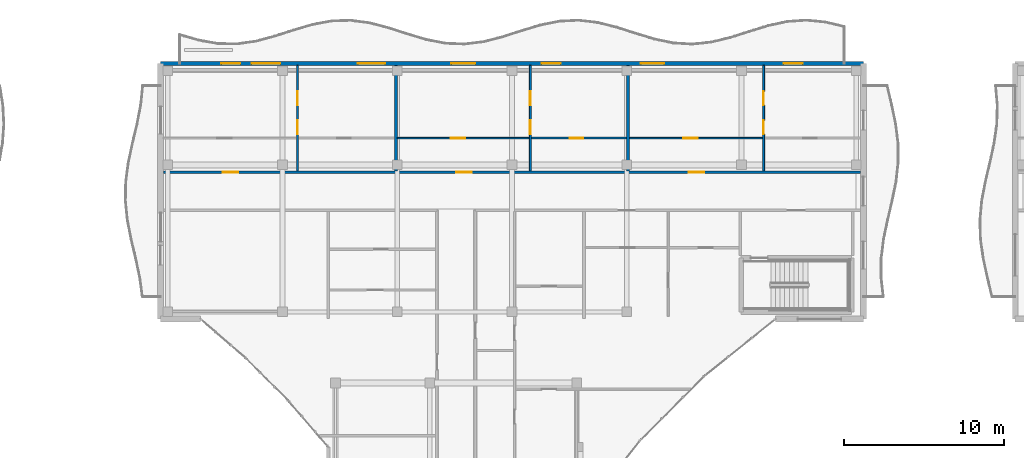
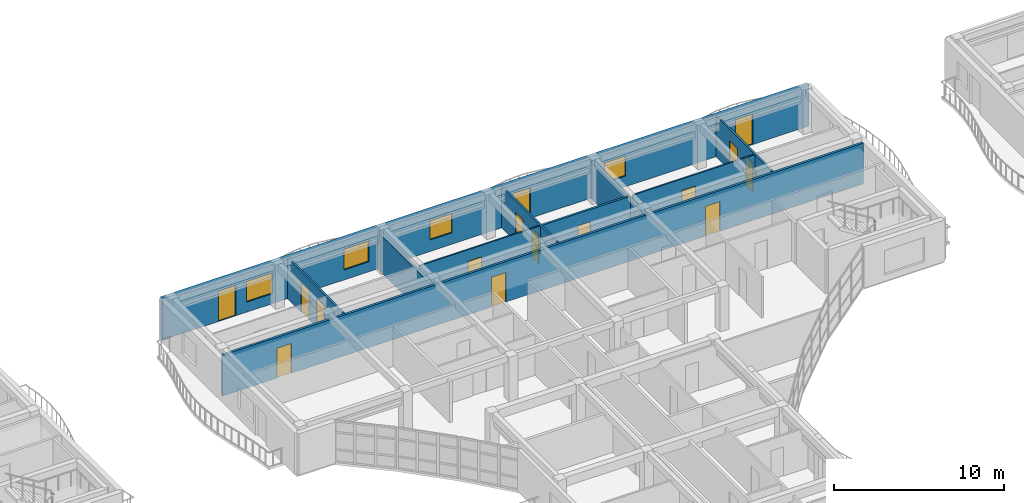
# One storey, part 48 of 79: 15 doors, 10 walls, 4 windows, 19 openings.
"""IFC4 building model written with IfcOpenShell, lengths in metres."""

from ifc_helpers import new_model, si_unit, direction, frame, frame_2d, origin, place, context, subcontext, project, spatial, rectangle, extrude, material, layer, layer_set, type_object, element, fill, save


model = new_model("IFC4")

# Units and contexts
model_context = context("Model", 3, precision=1e-05, world=origin(), true_north=direction((0.0, 1.0)))
body_context = subcontext(model_context, "Body", "Model", "MODEL_VIEW")
ifc_project = project(units=[si_unit("LENGTHUNIT", "METRE"), si_unit("AREAUNIT", "SQUARE_METRE"), si_unit("VOLUMEUNIT", "CUBIC_METRE"), si_unit("PLANEANGLEUNIT", "RADIAN"), si_unit("MASSUNIT", "GRAM", prefix="KILO")], contexts=[model_context])

# Site, building, storey
site_placement = place(None, origin())
site = spatial("IfcSite", under=ifc_project, at=site_placement, CompositionType="ELEMENT")
building_placement = place(site_placement, origin())
building = spatial("IfcBuilding", under=site, at=building_placement, Name="Keldmere Railside Commons", CompositionType="ELEMENT")
storey_placement = place(building_placement, frame((0.0, 0.0, 10.56005859375)))
storey = spatial("IfcBuildingStorey", under=building, at=storey_placement, Name="L03", CompositionType="ELEMENT", Elevation=10.56005859375)

# Walls
ifc_material_1 = material(Name="Acoustic Gypsum Board Partition", Category="gypsum")
ifc_layer_1 = layer(ifc_material_1, 0.179931640625, Name="Acoustic Demising Partition 180")
ifc_layer_set_1 = layer_set([ifc_layer_1], Name="Acoustic Gypsum Board Partition")
wall_type_1 = type_object("IfcWallType", Name="Acoustic Demising Partition 180", PredefinedType="PARTITIONING", material=ifc_layer_set_1)
for number, where, z_axis, x_axis, name in (
    (1, (108.22998046875, 109.280029296875, 0.0), (0.0, 0.0, 1.0), (0.0, 1.0, 0.0), "IW-1 IW-L03-1032"),
    (2, (122.77001953125, 109.280029296875, 0.0), (0.0, 0.0, 1.0), (0.0, 1.0, 0.0), "IW-1 IW-L03-1033"),
):
    element("IfcWall", number, at=place(storey_placement, frame(where, z_axis=z_axis, x_axis=x_axis)), inside=storey, type_object=wall_type_1, Name=name, PredefinedType="PARTITIONING", context=body_context, shape_type="SweptSolid", body=[
        extrude(rectangle(XDim=6.599853515625, YDim=0.179931640625, at=frame_2d((3.2998046875, 0.0))), origin(), (0.0, 0.0, 1.0), 2.679931640625),
    ])

# Wall, openings, doors
ifc_layer_2 = layer(ifc_material_1, 0.1201171875, Name="Apartment Interior Partition 120")
ifc_layer_set_2 = layer_set([ifc_layer_2], Name="Acoustic Gypsum Board Partition")
wall_type_2 = type_object("IfcWallType", Name="Apartment Interior Partition 120", PredefinedType="PARTITIONING", material=ifc_layer_set_2)
wall_1_placement = place(storey_placement, frame((102.070068359375, 109.280029296875, 0.0), z_axis=(0.0, 0.0, 1.0), x_axis=(0.0, 1.0, 0.0)))
wall_1 = element("IfcWall", 3, at=wall_1_placement, inside=storey, type_object=wall_type_2, Name="IW-4 IW-L03-1034", PredefinedType="PARTITIONING", context=body_context, shape_type="SweptSolid", body=[
    extrude(rectangle(XDim=6.599853515625, YDim=0.1201171875, at=frame_2d((3.2998046875, 0.0))), origin(), (0.0, 0.0, 1.0), 2.93505859375),
])
opening_1_placement = place(wall_1_placement, frame((2.305908203125, 0.0, 0.0)))
opening_1 = element("IfcOpeningElement", 4, at=opening_1_placement, cuts=wall_1, Name="Opening ID-04", PredefinedType="OPENING", context=body_context, shape_type="SweptSolid", body=[
    extrude(rectangle(XDim=0.860107421875, YDim=2.10009765625, at=frame_2d((0.43017578125, 1.050048828125))), frame((0.0, 0.070068359375, 0.0), z_axis=(0.0, -1.0, 0.0), x_axis=(1.0, 0.0, 0.0)), (0.0, 0.0, 1.0), 0.14013671875),
])
opening_2_placement = place(wall_1_placement, frame((4.097412109375, 0.0, 0.0)))
opening_2 = element("IfcOpeningElement", 5, at=opening_2_placement, cuts=wall_1, Name="Opening ID-01", PredefinedType="OPENING", context=body_context, shape_type="SweptSolid", body=[
    extrude(rectangle(XDim=0.89990234375, YDim=2.10009765625, at=frame_2d((0.449951171875, 1.050048828125))), frame((0.0, 0.070068359375, 0.0), z_axis=(0.0, -1.0, 0.0), x_axis=(1.0, 0.0, 0.0)), (0.0, 0.0, 1.0), 0.14013671875),
])
ifc_material_2 = material(Name="Engineered Oak Timber", Category="wood")
door_type_1 = type_object("IfcDoorType", Name="Apartment Bathroom Door 860x2100", OperationType="NOTDEFINED", PredefinedType="DOOR", material=ifc_material_2)
door_1_placement = place(opening_1_placement, origin())
door_1 = element("IfcDoor", 6, at=door_1_placement, inside=storey, type_object=door_type_1, Name="ID-04 IDR-L03-0902", OperationType="SINGLE_SWING_RIGHT", OverallHeight=2.10009765625, OverallWidth=0.860107421875, PredefinedType="DOOR", context=body_context, shape_type="SweptSolid", body=[
    extrude(rectangle(XDim=0.860107421875, YDim=2.10009765625, at=frame_2d((0.43017578125, 1.050048828125))), frame((0.0, 0.02490234375, 0.0), z_axis=(0.0, -1.0, 0.0), x_axis=(1.0, 0.0, 0.0)), (0.0, 0.0, 1.0), 0.050048828125),
])
fill(opening_1, door_1)
door_type_2 = type_object("IfcDoorType", Name="Primary Bedroom Door 900x2100", OperationType="NOTDEFINED", PredefinedType="DOOR", material=ifc_material_2)
door_2_placement = place(opening_2_placement, origin())
door_2 = element("IfcDoor", 7, at=door_2_placement, inside=storey, type_object=door_type_2, Name="ID-01 IDR-L03-0903", OperationType="SINGLE_SWING_LEFT", OverallHeight=2.10009765625, OverallWidth=0.89990234375, PredefinedType="DOOR", context=body_context, shape_type="SweptSolid", body=[
    extrude(rectangle(XDim=0.89990234375, YDim=2.10009765625, at=frame_2d((0.449951171875, 1.050048828125))), frame((0.0, 0.02490234375, 0.0), z_axis=(0.0, -1.0, 0.0), x_axis=(1.0, 0.0, 0.0)), (0.0, 0.0, 1.0), 0.050048828125),
])
fill(opening_2, door_2)

wall_2_placement = place(storey_placement, frame((116.64990234375, 109.280029296875, 0.0), z_axis=(0.0, 0.0, 1.0), x_axis=(0.0, 1.0, 0.0)))
wall_2 = element("IfcWall", 8, at=wall_2_placement, inside=storey, type_object=wall_type_2, Name="IW-4 IW-L03-1037", PredefinedType="PARTITIONING", context=body_context, shape_type="SweptSolid", body=[
    extrude(rectangle(XDim=6.599853515625, YDim=0.1201171875, at=frame_2d((3.2998046875, 0.0))), origin(), (0.0, 0.0, 1.0), 2.93505859375),
])
opening_3_placement = place(wall_2_placement, frame((2.305908203125, 0.0, 0.0)))
opening_3 = element("IfcOpeningElement", 9, at=opening_3_placement, cuts=wall_2, Name="Opening ID-04", PredefinedType="OPENING", context=body_context, shape_type="SweptSolid", body=[
    extrude(rectangle(XDim=0.860107421875, YDim=2.10009765625, at=frame_2d((0.43017578125, 1.050048828125))), frame((0.0, 0.070068359375, 0.0), z_axis=(0.0, -1.0, 0.0), x_axis=(1.0, 0.0, 0.0)), (0.0, 0.0, 1.0), 0.14013671875),
])
opening_4_placement = place(wall_2_placement, frame((4.097412109375, 0.0, 0.0)))
opening_4 = element("IfcOpeningElement", 10, at=opening_4_placement, cuts=wall_2, Name="Opening ID-01", PredefinedType="OPENING", context=body_context, shape_type="SweptSolid", body=[
    extrude(rectangle(XDim=0.89990234375, YDim=2.10009765625, at=frame_2d((0.449951171875, 1.050048828125))), frame((0.0, 0.070068359375, 0.0), z_axis=(0.0, -1.0, 0.0), x_axis=(1.0, 0.0, 0.0)), (0.0, 0.0, 1.0), 0.14013671875),
])
door_3_placement = place(opening_3_placement, origin())
door_3 = element("IfcDoor", 11, at=door_3_placement, inside=storey, type_object=door_type_1, Name="ID-04 IDR-L03-0907", OperationType="SINGLE_SWING_LEFT", OverallHeight=2.10009765625, OverallWidth=0.860107421875, PredefinedType="DOOR", context=body_context, shape_type="SweptSolid", body=[
    extrude(rectangle(XDim=0.860107421875, YDim=2.10009765625, at=frame_2d((0.43017578125, 1.050048828125))), frame((0.0, 0.02490234375, 0.0), z_axis=(0.0, -1.0, 0.0), x_axis=(1.0, 0.0, 0.0)), (0.0, 0.0, 1.0), 0.050048828125),
])
fill(opening_3, door_3)
door_4_placement = place(opening_4_placement, origin())
door_4 = element("IfcDoor", 12, at=door_4_placement, inside=storey, type_object=door_type_2, Name="ID-01 IDR-L03-0908", OperationType="SINGLE_SWING_RIGHT", OverallHeight=2.10009765625, OverallWidth=0.89990234375, PredefinedType="DOOR", context=body_context, shape_type="SweptSolid", body=[
    extrude(rectangle(XDim=0.89990234375, YDim=2.10009765625, at=frame_2d((0.449951171875, 1.050048828125))), frame((0.0, 0.02490234375, 0.0), z_axis=(0.0, -1.0, 0.0), x_axis=(1.0, 0.0, 0.0)), (0.0, 0.0, 1.0), 0.050048828125),
])
fill(opening_4, door_4)

wall_3_placement = place(storey_placement, frame((131.25, 109.280029296875, 0.0), z_axis=(0.0, 0.0, 1.0), x_axis=(0.0, 1.0, 0.0)))
wall_3 = element("IfcWall", 13, at=wall_3_placement, inside=storey, type_object=wall_type_2, Name="IW-4 IW-L03-1040", PredefinedType="PARTITIONING", context=body_context, shape_type="SweptSolid", body=[
    extrude(rectangle(XDim=6.599853515625, YDim=0.1201171875, at=frame_2d((3.2998046875, 0.0))), origin(), (0.0, 0.0, 1.0), 2.93505859375),
])
opening_5_placement = place(wall_3_placement, frame((2.305908203125, 0.0, 0.0)))
opening_5 = element("IfcOpeningElement", 14, at=opening_5_placement, cuts=wall_3, Name="Opening ID-04", PredefinedType="OPENING", context=body_context, shape_type="SweptSolid", body=[
    extrude(rectangle(XDim=0.860107421875, YDim=2.10009765625, at=frame_2d((0.43017578125, 1.050048828125))), frame((0.0, 0.070068359375, 0.0), z_axis=(0.0, -1.0, 0.0), x_axis=(1.0, 0.0, 0.0)), (0.0, 0.0, 1.0), 0.14013671875),
])
opening_6_placement = place(wall_3_placement, frame((4.097412109375, 0.0, 0.0)))
opening_6 = element("IfcOpeningElement", 15, at=opening_6_placement, cuts=wall_3, Name="Opening ID-01", PredefinedType="OPENING", context=body_context, shape_type="SweptSolid", body=[
    extrude(rectangle(XDim=0.89990234375, YDim=2.10009765625, at=frame_2d((0.449951171875, 1.050048828125))), frame((0.0, 0.070068359375, 0.0), z_axis=(0.0, -1.0, 0.0), x_axis=(1.0, 0.0, 0.0)), (0.0, 0.0, 1.0), 0.14013671875),
])
door_5_placement = place(opening_5_placement, origin())
door_5 = element("IfcDoor", 16, at=door_5_placement, inside=storey, type_object=door_type_1, Name="ID-04 IDR-L03-0912", OperationType="SINGLE_SWING_RIGHT", OverallHeight=2.10009765625, OverallWidth=0.860107421875, PredefinedType="DOOR", context=body_context, shape_type="SweptSolid", body=[
    extrude(rectangle(XDim=0.860107421875, YDim=2.10009765625, at=frame_2d((0.43017578125, 1.050048828125))), frame((0.0, 0.02490234375, 0.0), z_axis=(0.0, -1.0, 0.0), x_axis=(1.0, 0.0, 0.0)), (0.0, 0.0, 1.0), 0.050048828125),
])
fill(opening_5, door_5)
door_6_placement = place(opening_6_placement, origin())
door_6 = element("IfcDoor", 17, at=door_6_placement, inside=storey, type_object=door_type_2, Name="ID-01 IDR-L03-0913", OperationType="SINGLE_SWING_LEFT", OverallHeight=2.10009765625, OverallWidth=0.89990234375, PredefinedType="DOOR", context=body_context, shape_type="SweptSolid", body=[
    extrude(rectangle(XDim=0.89990234375, YDim=2.10009765625, at=frame_2d((0.449951171875, 1.050048828125))), frame((0.0, 0.02490234375, 0.0), z_axis=(0.0, -1.0, 0.0), x_axis=(1.0, 0.0, 0.0)), (0.0, 0.0, 1.0), 0.050048828125),
])
fill(opening_6, door_6)

# Wall, opening, door
ifc_layer_3 = layer(ifc_material_1, 0.10009765625, Name="Closet Light Partition 100")
ifc_layer_set_3 = layer_set([ifc_layer_3], Name="Acoustic Gypsum Board Partition")
wall_type_3 = type_object("IfcWallType", Name="Closet Light Partition 100", PredefinedType="PARTITIONING", material=ifc_layer_set_3)
wall_4_placement = place(storey_placement, frame((108.320068359375, 111.330078125, 0.0), z_axis=(0.0, 0.0, 1.0), x_axis=(1.0, 0.0, 0.0)))
wall_4 = element("IfcWall", 18, at=wall_4_placement, inside=storey, type_object=wall_type_3, Name="IW-6 IW-L03-1039", PredefinedType="PARTITIONING", context=body_context, shape_type="SweptSolid", body=[
    extrude(rectangle(XDim=8.27001953125, YDim=0.10009765625, at=frame_2d((4.135009765625, 0.0))), origin(), (0.0, 0.0, 1.0), 2.93505859375),
])
opening_7_placement = place(wall_4_placement, frame((3.33203125, 0.0, 0.0)))
opening_7 = element("IfcOpeningElement", 19, at=opening_7_placement, cuts=wall_4, Name="Opening ID-03", PredefinedType="OPENING", context=body_context, shape_type="SweptSolid", body=[
    extrude(rectangle(XDim=0.919921875, YDim=2.10009765625, at=frame_2d((0.4599609375, 1.050048828125))), frame((0.0, 0.06005859375, 0.0), z_axis=(0.0, -1.0, 0.0), x_axis=(1.0, 0.0, 0.0)), (0.0, 0.0, 1.0), 0.1201171875),
])
door_type_3 = type_object("IfcDoorType", Name="Kitchen Pocket-Frame Swing Door 920x2100", OperationType="NOTDEFINED", PredefinedType="DOOR", material=ifc_material_2)
door_7_placement = place(opening_7_placement, origin())
door_7 = element("IfcDoor", 20, at=door_7_placement, inside=storey, type_object=door_type_3, Name="ID-03 IDR-L03-0906", OperationType="SINGLE_SWING_RIGHT", OverallHeight=2.10009765625, OverallWidth=0.919921875, PredefinedType="DOOR", context=body_context, shape_type="SweptSolid", body=[
    extrude(rectangle(XDim=0.919921875, YDim=2.10009765625, at=frame_2d((0.4599609375, 1.050048828125))), frame((0.0, 0.02490234375, 0.0), z_axis=(0.0, -1.0, 0.0), x_axis=(1.0, 0.0, 0.0)), (0.0, 0.0, 1.0), 0.050048828125),
])
fill(opening_7, door_7)

wall_5_placement = place(storey_placement, frame((122.860107421875, 111.330078125, 0.0), z_axis=(0.0, 0.0, 1.0), x_axis=(1.0, 0.0, 0.0)))
wall_5 = element("IfcWall", 21, at=wall_5_placement, inside=storey, type_object=wall_type_3, Name="IW-6 IW-L03-1042", PredefinedType="PARTITIONING", context=body_context, shape_type="SweptSolid", body=[
    extrude(rectangle(XDim=8.329833984375, YDim=0.10009765625, at=frame_2d((4.1650390625, 0.0))), origin(), (0.0, 0.0, 1.0), 2.93505859375),
])
opening_8_placement = place(wall_5_placement, frame((3.35595703125, 0.0, 0.0)))
opening_8 = element("IfcOpeningElement", 22, at=opening_8_placement, cuts=wall_5, Name="Opening ID-03", PredefinedType="OPENING", context=body_context, shape_type="SweptSolid", body=[
    extrude(rectangle(XDim=0.919921875, YDim=2.10009765625, at=frame_2d((0.4599609375, 1.050048828125))), frame((0.0, 0.06005859375, 0.0), z_axis=(0.0, -1.0, 0.0), x_axis=(1.0, 0.0, 0.0)), (0.0, 0.0, 1.0), 0.1201171875),
])
door_8_placement = place(opening_8_placement, origin())
door_8 = element("IfcDoor", 23, at=door_8_placement, inside=storey, type_object=door_type_3, Name="ID-03 IDR-L03-0911", OperationType="SINGLE_SWING_LEFT", OverallHeight=2.10009765625, OverallWidth=0.919921875, PredefinedType="DOOR", context=body_context, shape_type="SweptSolid", body=[
    extrude(rectangle(XDim=0.919921875, YDim=2.10009765625, at=frame_2d((0.4599609375, 1.050048828125))), frame((0.0, 0.02490234375, 0.0), z_axis=(0.0, -1.0, 0.0), x_axis=(1.0, 0.0, 0.0)), (0.0, 0.0, 1.0), 0.050048828125),
])
fill(opening_8, door_8)

# Wall, openings, doors
ifc_layer_4 = layer(ifc_material_1, 0.159912109375, Name="Corridor Fire Partition 160")
ifc_layer_set_4 = layer_set([ifc_layer_4], Name="Acoustic Gypsum Board Partition")
wall_type_4 = type_object("IfcWallType", Name="Corridor Fire Partition 160", PredefinedType="PARTITIONING", material=ifc_layer_set_4)
wall_6_placement = place(storey_placement, frame((93.679931640625, 109.199951171875, 0.0), z_axis=(0.0, 0.0, 1.0), x_axis=(1.0, 0.0, 0.0)))
wall_6 = element("IfcWall", 24, at=wall_6_placement, inside=storey, type_object=wall_type_4, Name="IW-2 IW-L03-1013", PredefinedType="PARTITIONING", context=body_context, shape_type="SweptSolid", body=[
    extrude(rectangle(XDim=43.64013671875, YDim=0.159912109375, at=frame_2d((21.820068359375, 0.0))), origin(), (0.0, 0.0, 1.0), 2.93505859375),
])
opening_9_placement = place(wall_6_placement, frame((3.705078125, 0.0, 0.0)))
opening_9 = element("IfcOpeningElement", 25, at=opening_9_placement, cuts=wall_6, Name="Opening FD-7", PredefinedType="OPENING", context=body_context, shape_type="SweptSolid", body=[
    extrude(rectangle(XDim=0.97998046875, YDim=2.14990234375, at=frame_2d((0.489990234375, 1.074951171875))), frame((0.0, 0.08984375, 0.0), z_axis=(0.0, -1.0, 0.0), x_axis=(1.0, 0.0, 0.0)), (0.0, 0.0, 1.0), 0.179931640625),
])
opening_10_placement = place(wall_6_placement, frame((18.31494140625, 0.0, 0.0)))
opening_10 = element("IfcOpeningElement", 26, at=opening_10_placement, cuts=wall_6, Name="Opening FD-7", PredefinedType="OPENING", context=body_context, shape_type="SweptSolid", body=[
    extrude(rectangle(XDim=0.97998046875, YDim=2.14990234375, at=frame_2d((0.489990234375, 1.074951171875))), frame((0.0, 0.08984375, 0.0), z_axis=(0.0, -1.0, 0.0), x_axis=(1.0, 0.0, 0.0)), (0.0, 0.0, 1.0), 0.179931640625),
])
opening_11_placement = place(wall_6_placement, frame((32.885009765625, 0.0, 0.0)))
opening_11 = element("IfcOpeningElement", 27, at=opening_11_placement, cuts=wall_6, Name="Opening FD-7", PredefinedType="OPENING", context=body_context, shape_type="SweptSolid", body=[
    extrude(rectangle(XDim=0.97998046875, YDim=2.14990234375, at=frame_2d((0.489990234375, 1.074951171875))), frame((0.0, 0.08984375, 0.0), z_axis=(0.0, -1.0, 0.0), x_axis=(1.0, 0.0, 0.0)), (0.0, 0.0, 1.0), 0.179931640625),
])
door_type_4 = type_object("IfcDoorType", Name="Apartment Entrance Acoustic Fire Door 980x2150", OperationType="NOTDEFINED", PredefinedType="DOOR", material=ifc_material_2)
door_9_placement = place(opening_9_placement, origin())
door_9 = element("IfcDoor", 28, at=door_9_placement, inside=storey, type_object=door_type_4, Name="FD-7 IDR-L03-0900", OperationType="SINGLE_SWING_RIGHT", OverallHeight=2.14990234375, OverallWidth=0.97998046875, PredefinedType="DOOR", context=body_context, shape_type="SweptSolid", body=[
    extrude(rectangle(XDim=0.97998046875, YDim=2.14990234375, at=frame_2d((0.489990234375, 1.074951171875))), frame((0.0, 0.02490234375, 0.0), z_axis=(0.0, -1.0, 0.0), x_axis=(1.0, 0.0, 0.0)), (0.0, 0.0, 1.0), 0.050048828125),
])
fill(opening_9, door_9)
door_10_placement = place(opening_10_placement, origin())
door_10 = element("IfcDoor", 29, at=door_10_placement, inside=storey, type_object=door_type_4, Name="FD-7 IDR-L03-0905", OperationType="SINGLE_SWING_LEFT", OverallHeight=2.14990234375, OverallWidth=0.97998046875, PredefinedType="DOOR", context=body_context, shape_type="SweptSolid", body=[
    extrude(rectangle(XDim=0.97998046875, YDim=2.14990234375, at=frame_2d((0.489990234375, 1.074951171875))), frame((0.0, 0.02490234375, 0.0), z_axis=(0.0, -1.0, 0.0), x_axis=(1.0, 0.0, 0.0)), (0.0, 0.0, 1.0), 0.050048828125),
])
fill(opening_10, door_10)
door_11_placement = place(opening_11_placement, origin())
door_11 = element("IfcDoor", 30, at=door_11_placement, inside=storey, type_object=door_type_4, Name="FD-7 IDR-L03-0910", OperationType="SINGLE_SWING_RIGHT", OverallHeight=2.14990234375, OverallWidth=0.97998046875, PredefinedType="DOOR", context=body_context, shape_type="SweptSolid", body=[
    extrude(rectangle(XDim=0.97998046875, YDim=2.14990234375, at=frame_2d((0.489990234375, 1.074951171875))), frame((0.0, 0.02490234375, 0.0), z_axis=(0.0, -1.0, 0.0), x_axis=(1.0, 0.0, 0.0)), (0.0, 0.0, 1.0), 0.050048828125),
])
fill(opening_11, door_11)

# Wall, openings, doors, windows
ifc_material_3 = material(Name="Architectural Precast Concrete H-35 (C35/45)", Category="concrete")
ifc_layer_5 = layer(ifc_material_3, 0.239990234375, Name="Sand-Ochre Precast Cavity Wall 240")
ifc_layer_set_5 = layer_set([ifc_layer_5], Name="Architectural Precast Concrete H-35 (C35/45)")
wall_type_5 = type_object("IfcWallType", Name="Sand-Ochre Precast Cavity Wall 240", PredefinedType="SOLIDWALL", material=ifc_layer_set_5)
wall_7_placement = place(storey_placement, frame((93.5, 116.0, 0.0), z_axis=(0.0, 0.0, 1.0), x_axis=(1.0, 0.0, 0.0)))
wall_7 = element("IfcWall", 31, at=wall_7_placement, inside=storey, type_object=wall_type_5, Name="EW-2 EXTB-L03-0606", PredefinedType="SOLIDWALL", context=body_context, shape_type="SweptSolid", body=[
    extrude(rectangle(XDim=44.0, YDim=0.239990234375, at=frame_2d((22.0, 0.0))), origin(), (0.0, 0.0, 1.0), 2.97998046875),
])
opening_12_placement = place(wall_7_placement, frame((3.800048828125, 0.0, 0.0)))
opening_12 = element("IfcOpeningElement", 32, at=opening_12_placement, cuts=wall_7, Name="Opening BD-01", PredefinedType="OPENING", context=body_context, shape_type="SweptSolid", body=[
    extrude(rectangle(XDim=1.199951171875, YDim=2.199951171875, at=frame_2d((0.60009765625, 1.10009765625))), frame((0.0, 0.1298828125, 0.0), z_axis=(0.0, -1.0, 0.0), x_axis=(1.0, 0.0, 0.0)), (0.0, 0.0, 1.0), 0.260009765625),
])
opening_13_placement = place(wall_7_placement, frame((5.699951171875, 0.0, 0.719970703125)))
opening_13 = element("IfcOpeningElement", 33, at=opening_13_placement, cuts=wall_7, Name="Opening WN-01", PredefinedType="OPENING", context=body_context, shape_type="SweptSolid", body=[
    extrude(rectangle(XDim=1.800048828125, YDim=1.5, at=frame_2d((0.89990234375, 0.75))), frame((0.0, 0.1298828125, 0.0), z_axis=(0.0, -1.0, 0.0), x_axis=(1.0, 0.0, 0.0)), (0.0, 0.0, 1.0), 0.260009765625),
])
opening_14_placement = place(wall_7_placement, frame((12.35009765625, 0.0, 0.719970703125)))
opening_14 = element("IfcOpeningElement", 34, at=opening_14_placement, cuts=wall_7, Name="Opening WN-20", PredefinedType="OPENING", context=body_context, shape_type="SweptSolid", body=[
    extrude(rectangle(XDim=1.699951171875, YDim=1.5, at=frame_2d((0.85009765625, 0.75))), frame((0.0, 0.1298828125, 0.0), z_axis=(0.0, -1.0, 0.0), x_axis=(1.0, 0.0, 0.0)), (0.0, 0.0, 1.0), 0.260009765625),
])
opening_15_placement = place(wall_7_placement, frame((23.85009765625, 0.0, 0.0)))
opening_15 = element("IfcOpeningElement", 35, at=opening_15_placement, cuts=wall_7, Name="Opening BD-01", PredefinedType="OPENING", context=body_context, shape_type="SweptSolid", body=[
    extrude(rectangle(XDim=1.199951171875, YDim=2.199951171875, at=frame_2d((0.60009765625, 1.10009765625))), frame((0.0, 0.1298828125, 0.0), z_axis=(0.0, -1.0, 0.0), x_axis=(1.0, 0.0, 0.0)), (0.0, 0.0, 1.0), 0.260009765625),
])
opening_16_placement = place(wall_7_placement, frame((30.074951171875, 0.0, 0.77001953125)))
opening_16 = element("IfcOpeningElement", 36, at=opening_16_placement, cuts=wall_7, Name="Opening WN-24", PredefinedType="OPENING", context=body_context, shape_type="SweptSolid", body=[
    extrude(rectangle(XDim=1.449951171875, YDim=1.449951171875, at=frame_2d((0.72509765625, 0.72509765625))), frame((0.0, 0.1298828125, 0.0), z_axis=(0.0, -1.0, 0.0), x_axis=(1.0, 0.0, 0.0)), (0.0, 0.0, 1.0), 0.260009765625),
])
opening_17_placement = place(wall_7_placement, frame((39.0, 0.0, 0.0)))
opening_17 = element("IfcOpeningElement", 37, at=opening_17_placement, cuts=wall_7, Name="Opening BD-01", PredefinedType="OPENING", context=body_context, shape_type="SweptSolid", body=[
    extrude(rectangle(XDim=1.199951171875, YDim=2.199951171875, at=frame_2d((0.60009765625, 1.10009765625))), frame((0.0, 0.1298828125, 0.0), z_axis=(0.0, -1.0, 0.0), x_axis=(1.0, 0.0, 0.0)), (0.0, 0.0, 1.0), 0.260009765625),
])
opening_18_placement = place(wall_7_placement, frame((18.2099609375, 0.0, 0.820068359375)))
opening_18 = element("IfcOpeningElement", 38, at=opening_18_placement, cuts=wall_7, Name="Opening WN-06", PredefinedType="OPENING", context=body_context, shape_type="SweptSolid", body=[
    extrude(rectangle(XDim=1.5, YDim=1.39990234375, at=frame_2d((0.75, 0.699951171875))), frame((0.0, 0.1298828125, 0.0), z_axis=(0.0, -1.0, 0.0), x_axis=(1.0, 0.0, 0.0)), (0.0, 0.0, 1.0), 0.260009765625),
])
ifc_material_4 = material(Name="Thermally Broken Aluminium", Category="aluminium")
door_type_5 = type_object("IfcDoorType", Name="Apartment Living Wave-Balcony Glazed Door 1200x2200", OperationType="NOTDEFINED", PredefinedType="DOOR", material=ifc_material_4)
door_12_placement = place(opening_12_placement, origin())
door_12 = element("IfcDoor", 39, at=door_12_placement, inside=storey, type_object=door_type_5, Name="BD-01 DR-L03-0147", OperationType="SINGLE_SWING_LEFT", OverallHeight=2.199951171875, OverallWidth=1.199951171875, PredefinedType="DOOR", context=body_context, shape_type="SweptSolid", body=[
    extrude(rectangle(XDim=1.199951171875, YDim=2.199951171875, at=frame_2d((0.60009765625, 1.10009765625))), frame((0.0, 0.02490234375, 0.0), z_axis=(0.0, -1.0, 0.0), x_axis=(1.0, 0.0, 0.0)), (0.0, 0.0, 1.0), 0.050048828125),
])
fill(opening_12, door_12)
door_13_placement = place(opening_15_placement, origin())
door_13 = element("IfcDoor", 40, at=door_13_placement, inside=storey, type_object=door_type_5, Name="BD-01 DR-L03-0148", OperationType="SINGLE_SWING_RIGHT", OverallHeight=2.199951171875, OverallWidth=1.199951171875, PredefinedType="DOOR", context=body_context, shape_type="SweptSolid", body=[
    extrude(rectangle(XDim=1.199951171875, YDim=2.199951171875, at=frame_2d((0.60009765625, 1.10009765625))), frame((0.0, 0.02490234375, 0.0), z_axis=(0.0, -1.0, 0.0), x_axis=(1.0, 0.0, 0.0)), (0.0, 0.0, 1.0), 0.050048828125),
])
fill(opening_15, door_13)
door_14_placement = place(opening_17_placement, origin())
door_14 = element("IfcDoor", 41, at=door_14_placement, inside=storey, type_object=door_type_5, Name="BD-01 DR-L03-0149", OperationType="SINGLE_SWING_LEFT", OverallHeight=2.199951171875, OverallWidth=1.199951171875, PredefinedType="DOOR", context=body_context, shape_type="SweptSolid", body=[
    extrude(rectangle(XDim=1.199951171875, YDim=2.199951171875, at=frame_2d((0.60009765625, 1.10009765625))), frame((0.0, 0.02490234375, 0.0), z_axis=(0.0, -1.0, 0.0), x_axis=(1.0, 0.0, 0.0)), (0.0, 0.0, 1.0), 0.050048828125),
])
fill(opening_17, door_14)
ifc_material_5 = material(Name="Low-E Insulated Double Glazing", Category="glass")
window_type_1 = type_object("IfcWindowType", Name="Living Room North Casement Window 1800x1500", PartitioningType="SINGLE_PANEL", PredefinedType="WINDOW", material=ifc_material_5)
window_1_placement = place(opening_13_placement, origin())
window_1 = element("IfcWindow", 42, at=window_1_placement, inside=storey, type_object=window_type_1, Name="WN-01 WIN-L03-0408", OverallHeight=1.5, OverallWidth=1.800048828125, PartitioningType="SINGLE_PANEL", PredefinedType="WINDOW", context=body_context, shape_type="SweptSolid", body=[
    extrude(rectangle(XDim=1.800048828125, YDim=1.5, at=frame_2d((0.89990234375, 0.75))), frame((0.0, 0.030029296875, 0.0), z_axis=(0.0, -1.0, 0.0), x_axis=(1.0, 0.0, 0.0)), (0.0, 0.0, 1.0), 0.06005859375),
])
fill(opening_13, window_1)
window_type_2 = type_object("IfcWindowType", Name="Primary Bedroom North Window 1500x1400", PartitioningType="SINGLE_PANEL", PredefinedType="WINDOW", material=ifc_material_5)
window_2_placement = place(opening_18_placement, origin())
window_2 = element("IfcWindow", 43, at=window_2_placement, inside=storey, type_object=window_type_2, Name="WN-06 WIN-L03-9024", OverallHeight=1.39990234375, OverallWidth=1.5, PartitioningType="SINGLE_PANEL", PredefinedType="WINDOW", context=body_context, shape_type="SweptSolid", body=[
    extrude(rectangle(XDim=1.5, YDim=1.39990234375, at=frame_2d((0.75, 0.699951171875))), frame((0.0, 0.030029296875, 0.0), z_axis=(0.0, -1.0, 0.0), x_axis=(1.0, 0.0, 0.0)), (0.0, 0.0, 1.0), 0.06005859375),
])
fill(opening_18, window_2)
window_type_3 = type_object("IfcWindowType", Name="Setback Terrace Bedroom Window 1450x1450", PartitioningType="SINGLE_PANEL", PredefinedType="WINDOW", material=ifc_material_5)
window_3_placement = place(opening_16_placement, origin())
window_3 = element("IfcWindow", 44, at=window_3_placement, inside=storey, type_object=window_type_3, Name="WN-24 WIN-L03-0410", OverallHeight=1.449951171875, OverallWidth=1.449951171875, PartitioningType="SINGLE_PANEL", PredefinedType="WINDOW", context=body_context, shape_type="SweptSolid", body=[
    extrude(rectangle(XDim=1.449951171875, YDim=1.449951171875, at=frame_2d((0.72509765625, 0.72509765625))), frame((0.0, 0.030029296875, 0.0), z_axis=(0.0, -1.0, 0.0), x_axis=(1.0, 0.0, 0.0)), (0.0, 0.0, 1.0), 0.06005859375),
])
fill(opening_16, window_3)
window_type_4 = type_object("IfcWindowType", Name="Study Room Quiet Casement Window 1700x1500", PartitioningType="SINGLE_PANEL", PredefinedType="WINDOW", material=ifc_material_5)
window_4_placement = place(opening_14_placement, origin())
window_4 = element("IfcWindow", 45, at=window_4_placement, inside=storey, type_object=window_type_4, Name="WN-20 WIN-L03-0409", OverallHeight=1.5, OverallWidth=1.699951171875, PartitioningType="SINGLE_PANEL", PredefinedType="WINDOW", context=body_context, shape_type="SweptSolid", body=[
    extrude(rectangle(XDim=1.699951171875, YDim=1.5, at=frame_2d((0.85009765625, 0.75))), frame((0.0, 0.030029296875, 0.0), z_axis=(0.0, -1.0, 0.0), x_axis=(1.0, 0.0, 0.0)), (0.0, 0.0, 1.0), 0.06005859375),
])
fill(opening_14, window_4)

# Wall, opening, door
ifc_layer_6 = layer(ifc_material_1, 0.139892578125, Name="Wet-Room Sanitary Partition 140")
ifc_layer_set_6 = layer_set([ifc_layer_6], Name="Acoustic Gypsum Board Partition")
wall_type_6 = type_object("IfcWallType", Name="Wet-Room Sanitary Partition 140", PredefinedType="PARTITIONING", material=ifc_layer_set_6)
wall_8_placement = place(storey_placement, frame((116.7099609375, 111.330078125, 0.0), z_axis=(0.0, 0.0, 1.0), x_axis=(1.0, 0.0, 0.0)))
wall_8 = element("IfcWall", 46, at=wall_8_placement, inside=storey, type_object=wall_type_6, Name="IW-5 IW-L03-1038", PredefinedType="PARTITIONING", context=body_context, shape_type="SweptSolid", body=[
    extrude(rectangle(XDim=5.969970703125, YDim=0.139892578125, at=frame_2d((2.98486328125, 0.0))), origin(), (0.0, 0.0, 1.0), 2.93505859375),
])
opening_19_placement = place(wall_8_placement, frame((2.412109375, 0.0, 0.0)))
opening_19 = element("IfcOpeningElement", 47, at=opening_19_placement, cuts=wall_8, Name="Opening ID-06", PredefinedType="OPENING", context=body_context, shape_type="SweptSolid", body=[
    extrude(rectangle(XDim=0.85009765625, YDim=2.050048828125, at=frame_2d((0.425048828125, 1.02490234375))), frame((0.0, 0.079833984375, 0.0), z_axis=(0.0, -1.0, 0.0), x_axis=(1.0, 0.0, 0.0)), (0.0, 0.0, 1.0), 0.159912109375),
])
door_type_6 = type_object("IfcDoorType", Name="Storage Closet Door 850x2050", OperationType="NOTDEFINED", PredefinedType="DOOR", material=ifc_material_2)
door_15_placement = place(opening_19_placement, origin())
door_15 = element("IfcDoor", 48, at=door_15_placement, inside=storey, type_object=door_type_6, Name="ID-06 IDR-L03-0909", OperationType="SINGLE_SWING_LEFT", OverallHeight=2.050048828125, OverallWidth=0.85009765625, PredefinedType="DOOR", context=body_context, shape_type="SweptSolid", body=[
    extrude(rectangle(XDim=0.85009765625, YDim=2.050048828125, at=frame_2d((0.425048828125, 1.02490234375))), frame((0.0, 0.02490234375, 0.0), z_axis=(0.0, -1.0, 0.0), x_axis=(1.0, 0.0, 0.0)), (0.0, 0.0, 1.0), 0.050048828125),
])
fill(opening_19, door_15)

save(model, "model.ifc")
